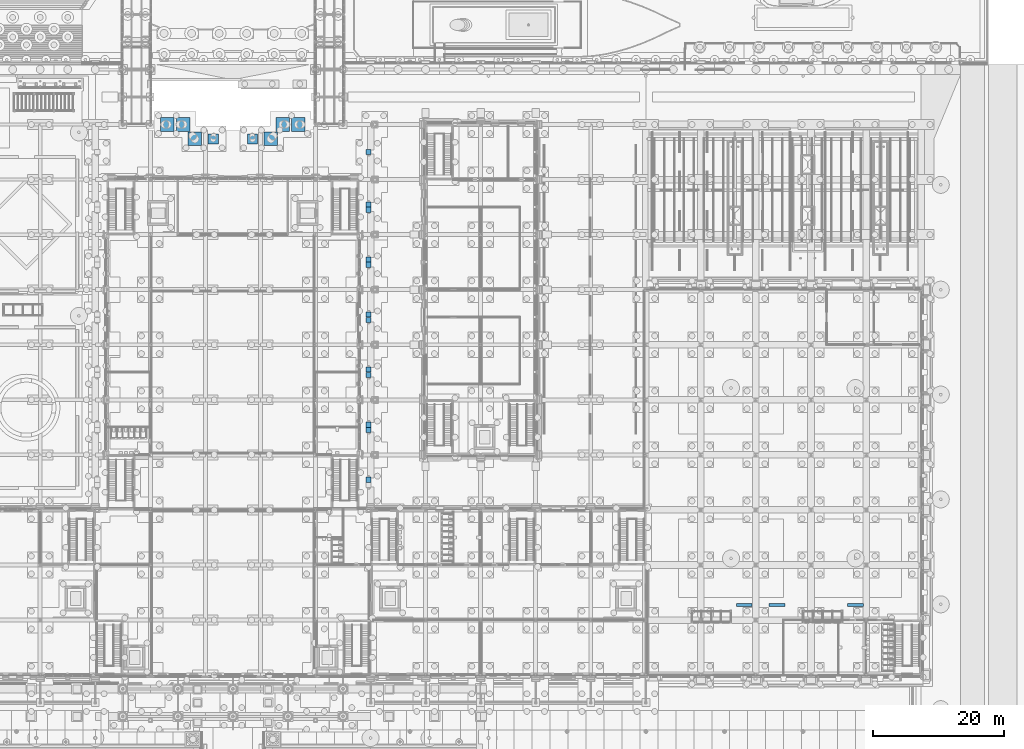
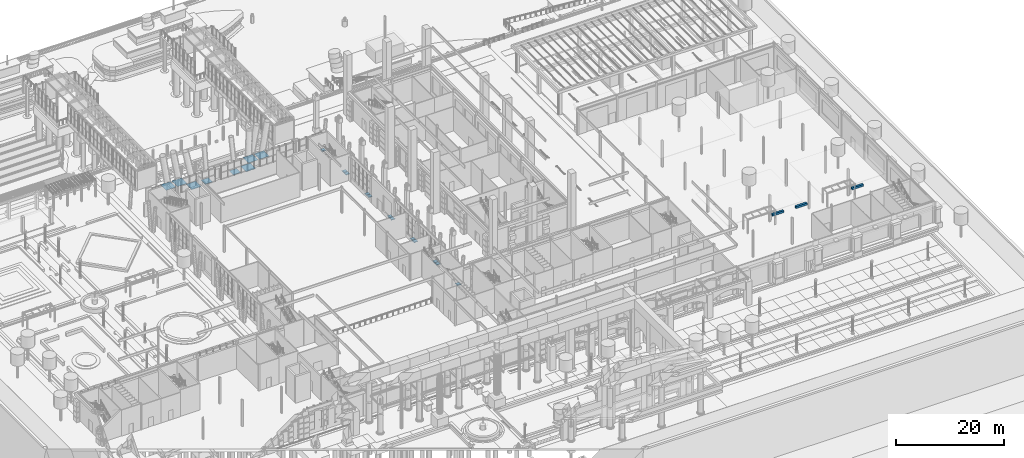
# One storey, part 105 of 222: 23 discrete accessories.
"""IFC4 building model written with IfcOpenShell, lengths in metres."""

from ifc_helpers import new_model, si_unit, direction, frame, origin, origin_2d, place, context, subcontext, project, spatial, rectangle, extrude, material, layer, layer_set, type_object, element, save


model = new_model("IFC4")

# Units and contexts
model_context = context("Model", 3, precision=1e-05, world=origin(), true_north=direction((0.0, 1.0)))
body_context = subcontext(model_context, "Body", "Model", "MODEL_VIEW")
ifc_project = project(units=[si_unit("LENGTHUNIT", "METRE"), si_unit("AREAUNIT", "SQUARE_METRE"), si_unit("VOLUMEUNIT", "CUBIC_METRE"), si_unit("PLANEANGLEUNIT", "RADIAN"), si_unit("MASSUNIT", "GRAM", prefix="KILO")], contexts=[model_context])

# Site, building, storey
site_placement = place(None, origin())
site = spatial("IfcSite", under=ifc_project, at=site_placement, CompositionType="ELEMENT")
building_placement = place(site_placement, origin())
building = spatial("IfcBuilding", under=site, at=building_placement, Name="Sava Quay Ferry Terminal", CompositionType="ELEMENT")
storey_placement = place(building_placement, origin())
storey = spatial("IfcBuildingStorey", under=building, at=storey_placement, Name="L00", CompositionType="ELEMENT", Elevation=0.0)

# Discrete accessories
ifc_material_1 = material(Name="Steel S355", Category="steel")
ifc_layer_1 = layer(ifc_material_1, 0.050048828125)
ifc_layer_set_1 = layer_set([ifc_layer_1], Name="Steel S355")
discrete_accessory_type_1 = type_object("IfcDiscreteAccessoryType", Name="Column base plate 1550 x 50", PredefinedType="ANCHORPLATE", material=ifc_layer_set_1)
for number, where, z_axis, x_axis, name in (
    (1, (60.0, 107.0, -1.3525390625), (0.0, 0.0, 1.0), (1.0, 0.0, 0.0), "Departure hall V column D-PVMa2.1 base plate"),
    (2, (66.0, 107.0, -1.3525390625), (0.0, 0.0, 1.0), (1.0, 0.0, 0.0), "Departure hall V column D-PVMb2.1 base plate"),
):
    element("IfcDiscreteAccessory", number, at=place(storey_placement, frame(where, z_axis=z_axis, x_axis=x_axis)), inside=storey, type_object=discrete_accessory_type_1, Name=name, PredefinedType="ANCHORPLATE", context=body_context, shape_type="SweptSolid", body=[
        extrude(rectangle(XDim=1.550048828125, YDim=1.550048828125, at=origin_2d()), origin(), (0.0, 0.0, 1.0), 0.050048828125),
    ])
ifc_material_2 = material(Name="Steel S355", Category="steel")
ifc_layer_2 = layer(ifc_material_2, 0.050048828125)
ifc_layer_set_2 = layer_set([ifc_layer_2], Name="Steel S355")
discrete_accessory_type_2 = type_object("IfcDiscreteAccessoryType", Name="Column base plate 2070 x 50", PredefinedType="ANCHORPLATE", material=ifc_layer_set_2)
for number, where, z_axis, x_axis, name in (
    (3, (53.0, 109.199951171875, -1.3525390625), (0.0, 0.0, 1.0), (1.0, 0.0, 0.0), "Departure hall V column D-PV7H0a base plate"),
    (4, (55.39990234375, 109.199951171875, -1.3525390625), (0.0, 0.0, 1.0), (1.0, 0.0, 0.0), "Departure hall V column D-PV7H0b base plate"),
    (5, (70.60009765625, 109.199951171875, -1.3525390625), (0.0, 0.0, 1.0), (1.0, 0.0, 0.0), "Departure hall V column D-PV7H1a base plate"),
    (6, (73.0, 109.199951171875, -1.3525390625), (0.0, 0.0, 1.0), (1.0, 0.0, 0.0), "Departure hall V column D-PV7H1b base plate"),
    (7, (57.199951171875, 107.0, -1.3525390625), (0.0, 0.0, 1.0), (1.0, 0.0, 0.0), "Departure hall V column D-PVTa base plate"),
    (8, (68.800048828125, 107.0, -1.3525390625), (0.0, 0.0, 1.0), (1.0, 0.0, 0.0), "Departure hall V column D-PVTb base plate"),
):
    element("IfcDiscreteAccessory", number, at=place(storey_placement, frame(where, z_axis=z_axis, x_axis=x_axis)), inside=storey, type_object=discrete_accessory_type_2, Name=name, PredefinedType="ANCHORPLATE", context=body_context, shape_type="SweptSolid", body=[
        extrude(rectangle(XDim=2.070068359375, YDim=2.070068359375, at=origin_2d()), origin(), (0.0, 0.0, 1.0), 0.050048828125),
    ])
ifc_material_3 = material(Name="Steel S355", Category="steel")
ifc_layer_3 = layer(ifc_material_3, 0.050048828125)
ifc_layer_set_3 = layer_set([ifc_layer_3], Name="Steel S355")
discrete_accessory_type_3 = type_object("IfcDiscreteAccessoryType", Name="Column base plate 780 x 50", PredefinedType="ANCHORPLATE", material=ifc_layer_set_3)
for number, where, z_axis, x_axis, name in (
    (9, (83.699951171875, 55.0, -1.3525390625), (0.0, 0.0, 1.0), (1.0, 0.0, 0.0), "Departure hall V column D-VR1a base plate"),
    (10, (83.699951171875, 62.60009765625, -1.3525390625), (0.0, 0.0, 1.0), (1.0, 0.0, 0.0), "Departure hall V column D-VR1b base plate"),
    (11, (83.699951171875, 63.39990234375, -1.3525390625), (0.0, 0.0, 1.0), (1.0, 0.0, 0.0), "Departure hall V column D-VR2a base plate"),
    (12, (83.699951171875, 71.0, -1.3525390625), (0.0, 0.0, 1.0), (1.0, 0.0, 0.0), "Departure hall V column D-VR2b base plate"),
    (13, (83.699951171875, 71.800048828125, -1.3525390625), (0.0, 0.0, 1.0), (1.0, 0.0, 0.0), "Departure hall V column D-VR3a base plate"),
    (14, (83.699951171875, 79.39990234375, -1.3525390625), (0.0, 0.0, 1.0), (1.0, 0.0, 0.0), "Departure hall V column D-VR3b base plate"),
    (15, (83.699951171875, 80.199951171875, -1.3525390625), (0.0, 0.0, 1.0), (1.0, 0.0, 0.0), "Departure hall V column D-VR4a base plate"),
    (16, (83.699951171875, 87.800048828125, -1.3525390625), (0.0, 0.0, 1.0), (1.0, 0.0, 0.0), "Departure hall V column D-VR4b base plate"),
    (17, (83.699951171875, 88.60009765625, -1.3525390625), (0.0, 0.0, 1.0), (1.0, 0.0, 0.0), "Departure hall V column D-VR5a base plate"),
    (18, (83.699951171875, 96.199951171875, -1.3525390625), (0.0, 0.0, 1.0), (1.0, 0.0, 0.0), "Departure hall V column D-VR5b base plate"),
    (19, (83.699951171875, 97.0, -1.3525390625), (0.0, 0.0, 1.0), (1.0, 0.0, 0.0), "Departure hall V column D-VR6a base plate"),
    (20, (83.699951171875, 105.0, -1.3525390625), (0.0, 0.0, 1.0), (1.0, 0.0, 0.0), "Departure hall V column D-VR6b base plate"),
):
    element("IfcDiscreteAccessory", number, at=place(storey_placement, frame(where, z_axis=z_axis, x_axis=x_axis)), inside=storey, type_object=discrete_accessory_type_3, Name=name, PredefinedType="ANCHORPLATE", context=body_context, shape_type="SweptSolid", body=[
        extrude(rectangle(XDim=0.780029296875, YDim=0.780029296875, at=origin_2d()), origin(), (0.0, 0.0, 1.0), 0.050048828125),
    ])
ifc_material_4 = material(Name="Timber", Category="wood")
discrete_accessory_type_4 = type_object("IfcDiscreteAccessoryType", Name="Garden bench 2400x450", PredefinedType="NOTDEFINED", material=ifc_material_4)
for number, where, z_axis, x_axis, name in (
    (21, (141.0, 35.89990234375, 6.0), (0.0, 0.0, 1.0), (1.0, 0.0, 0.0), "Garden bench"),
    (22, (146.0, 35.89990234375, 6.0), (0.0, 0.0, 1.0), (1.0, 0.0, 0.0), "Garden bench"),
    (23, (158.0, 35.89990234375, 6.0), (0.0, 0.0, 1.0), (1.0, 0.0, 0.0), "Garden bench"),
):
    element("IfcDiscreteAccessory", number, at=place(storey_placement, frame(where, z_axis=z_axis, x_axis=x_axis)), inside=storey, type_object=discrete_accessory_type_4, Name=name, PredefinedType="NOTDEFINED", context=body_context, shape_type="SweptSolid", body=[
        extrude(rectangle(XDim=2.39990234375, YDim=0.449951171875, at=origin_2d()), origin(), (0.0, 0.0, 1.0), 0.449951171875),
    ])

save(model, "model.ifc")
